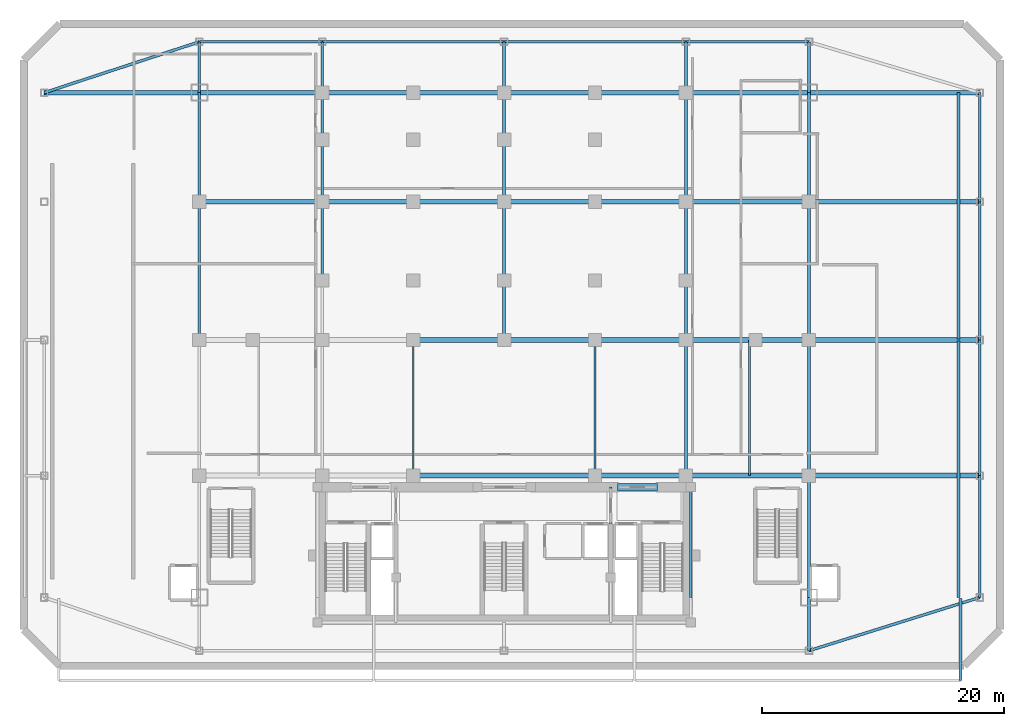
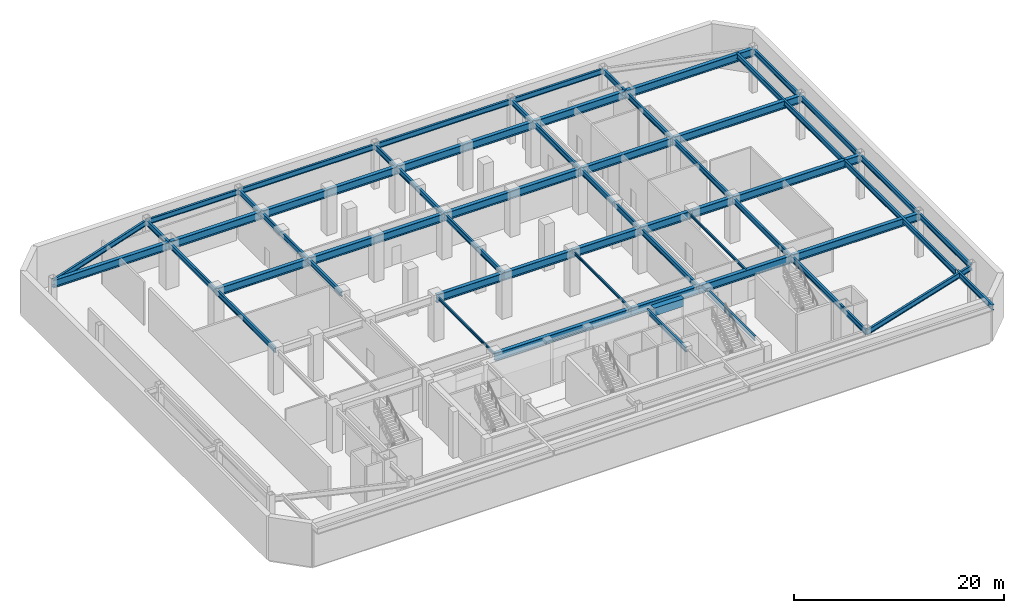
# One storey, part 2 of 9: 60 beams.
"""IFC4 building model written with IfcOpenShell, lengths in metres."""

from ifc_helpers import new_model, si_unit, direction, frame, origin, origin_2d, place, context, subcontext, project, spatial, rectangle, i_section, extrude, material, material_profile, profile_set, type_object, element, save


model = new_model("IFC4")

# Units and contexts
model_context = context("Model", 3, precision=1e-05, world=origin(), true_north=direction((0.0, 1.0)))
body_context = subcontext(model_context, "Body", "Model", "MODEL_VIEW")
ifc_project = project(units=[si_unit("LENGTHUNIT", "METRE"), si_unit("AREAUNIT", "SQUARE_METRE"), si_unit("VOLUMEUNIT", "CUBIC_METRE"), si_unit("PLANEANGLEUNIT", "RADIAN"), si_unit("MASSUNIT", "GRAM", prefix="KILO")], contexts=[model_context])

# Site, building, storey
site_placement = place(None, origin())
site = spatial("IfcSite", under=ifc_project, at=site_placement, CompositionType="ELEMENT")
building_placement = place(site_placement, origin())
building = spatial("IfcBuilding", under=site, at=building_placement, Name="Ventersveld Concourse Tower", CompositionType="ELEMENT")
storey_placement = place(building_placement, frame((0.0, 0.0, -5.39990234375)))
storey = spatial("IfcBuildingStorey", under=building, at=storey_placement, Name="B01", CompositionType="ELEMENT", Elevation=-5.39990234375)

# Beams
ifc_material_1 = material(Name="Concrete C60/75", Category="concrete")
ifc_material_profile_1 = material_profile(ifc_material_1, rectangle(XDim=0.60009765625, YDim=0.89990234375, at=origin_2d()), Name="RC 600x900")
ifc_profile_set_1 = profile_set([ifc_material_profile_1], Name="Concrete C60/75")
beam_type_1 = type_object("IfcBeamType", Name="CB-RC600x900L", PredefinedType="LINTEL", material=ifc_profile_set_1)
beam_1_placement = place(storey_placement, frame((38.10009765625, 11.449951171875, 4.599853515625), z_axis=(1.0, 0.0, 0.0), x_axis=(0.0, 1.0, 0.0)))
element("IfcBeam", 1, at=beam_1_placement, inside=storey, type_object=beam_type_1, Name="B01 Core Coupling Lintel Beam 3", PredefinedType="LINTEL", context=body_context, shape_type="SweptSolid", body=[
    extrude(rectangle(XDim=0.60009765625, YDim=0.89990234375, at=origin_2d()), origin(), (0.0, 0.0, 1.0), 3.2998046875),
])
ifc_material_2 = material(Name="Structural steel S355J2", Category="steel")
ifc_material_profile_2 = material_profile(ifc_material_2, i_section(OverallWidth=0.39990234375, OverallDepth=0.89990234375, WebThickness=0.02197265625, FlangeThickness=0.035888671875, at=origin_2d()), Name="PG 900x400x36")
ifc_profile_set_2 = profile_set([ifc_material_profile_2], Name="Structural steel S355J2")
beam_type_2 = type_object("IfcBeamType", Name="GRD-PG900", PredefinedType="USERDEFINED", material=ifc_profile_set_2)
beam_2_placement = place(storey_placement, frame((21.25, 12.39990234375, 4.599853515625), z_axis=(1.0, 0.0, 0.0), x_axis=(0.0, 1.0, 0.0)))
element("IfcBeam", 2, at=beam_2_placement, inside=storey, type_object=beam_type_2, Name="B01 Podium Primary Girder Y=12.4m", ObjectType="GIRDER", PredefinedType="USERDEFINED", context=body_context, shape_type="SweptSolid", body=[
    extrude(i_section(OverallWidth=0.39990234375, OverallDepth=0.89990234375, WebThickness=0.02197265625, FlangeThickness=0.035888671875, at=origin_2d()), origin(), (0.0, 0.0, 1.0), 15.0),
])
beam_3_placement = place(storey_placement, frame((36.25, 12.39990234375, 4.599853515625), z_axis=(1.0, 0.0, 0.0), x_axis=(0.0, 1.0, 0.0)))
element("IfcBeam", 3, at=beam_3_placement, inside=storey, type_object=beam_type_2, Name="B01 Podium Primary Girder Y=12.4m", ObjectType="GIRDER", PredefinedType="USERDEFINED", context=body_context, shape_type="SweptSolid", body=[
    extrude(i_section(OverallWidth=0.39990234375, OverallDepth=0.89990234375, WebThickness=0.02197265625, FlangeThickness=0.035888671875, at=origin_2d()), origin(), (0.0, 0.0, 1.0), 7.5),
])
beam_4_placement = place(storey_placement, frame((43.75, 12.39990234375, 4.599853515625), z_axis=(1.0, 0.0, 0.0), x_axis=(0.0, 1.0, 0.0)))
element("IfcBeam", 4, at=beam_4_placement, inside=storey, type_object=beam_type_2, Name="B01 Podium Primary Girder Y=12.4m", ObjectType="GIRDER", PredefinedType="USERDEFINED", context=body_context, shape_type="SweptSolid", body=[
    extrude(i_section(OverallWidth=0.39990234375, OverallDepth=0.89990234375, WebThickness=0.02197265625, FlangeThickness=0.035888671875, at=origin_2d()), origin(), (0.0, 0.0, 1.0), 10.14990234375),
])
beam_5_placement = place(storey_placement, frame((53.89990234375, 12.39990234375, 4.599853515625), z_axis=(1.0, 0.0, 0.0), x_axis=(0.0, 1.0, 0.0)))
element("IfcBeam", 5, at=beam_5_placement, inside=storey, type_object=beam_type_2, Name="B01 Podium Primary Girder Y=12.4m", ObjectType="GIRDER", PredefinedType="USERDEFINED", context=body_context, shape_type="SweptSolid", body=[
    extrude(i_section(OverallWidth=0.39990234375, OverallDepth=0.89990234375, WebThickness=0.02197265625, FlangeThickness=0.035888671875, at=origin_2d()), origin(), (0.0, 0.0, 1.0), 14.10009765625),
])
for number, where, z_axis, x_axis, name in (
    (6, (21.25, 23.60009765625, 4.599853515625), (1.0, 0.0, 0.0), (0.0, 1.0, 0.0), "B01 Podium Primary Girder Y=23.6m"),
    (7, (28.75, 23.60009765625, 4.599853515625), (1.0, 0.0, 0.0), (0.0, 1.0, 0.0), "B01 Podium Primary Girder Y=23.6m"),
    (8, (36.25, 23.60009765625, 4.599853515625), (1.0, 0.0, 0.0), (0.0, 1.0, 0.0), "B01 Podium Primary Girder Y=23.6m"),
):
    element("IfcBeam", number, at=place(storey_placement, frame(where, z_axis=z_axis, x_axis=x_axis)), inside=storey, type_object=beam_type_2, Name=name, ObjectType="GIRDER", PredefinedType="USERDEFINED", context=body_context, shape_type="SweptSolid", body=[
        extrude(i_section(OverallWidth=0.39990234375, OverallDepth=0.89990234375, WebThickness=0.02197265625, FlangeThickness=0.035888671875, at=origin_2d()), origin(), (0.0, 0.0, 1.0), 7.5),
    ])
beam_6_placement = place(storey_placement, frame((43.75, 23.60009765625, 4.599853515625), z_axis=(1.0, 0.0, 0.0), x_axis=(0.0, 1.0, 0.0)))
element("IfcBeam", 9, at=beam_6_placement, inside=storey, type_object=beam_type_2, Name="B01 Podium Primary Girder Y=23.6m", ObjectType="GIRDER", PredefinedType="USERDEFINED", context=body_context, shape_type="SweptSolid", body=[
    extrude(i_section(OverallWidth=0.39990234375, OverallDepth=0.89990234375, WebThickness=0.02197265625, FlangeThickness=0.035888671875, at=origin_2d()), origin(), (0.0, 0.0, 1.0), 5.75),
])
beam_7_placement = place(storey_placement, frame((49.5, 23.60009765625, 4.599853515625), z_axis=(1.0, 0.0, 0.0), x_axis=(0.0, 1.0, 0.0)))
element("IfcBeam", 10, at=beam_7_placement, inside=storey, type_object=beam_type_2, Name="B01 Podium Primary Girder Y=23.6m", ObjectType="GIRDER", PredefinedType="USERDEFINED", context=body_context, shape_type="SweptSolid", body=[
    extrude(i_section(OverallWidth=0.39990234375, OverallDepth=0.89990234375, WebThickness=0.02197265625, FlangeThickness=0.035888671875, at=origin_2d()), origin(), (0.0, 0.0, 1.0), 4.39990234375),
])
beam_8_placement = place(storey_placement, frame((53.89990234375, 23.60009765625, 4.599853515625), z_axis=(1.0, 0.0, 0.0), x_axis=(0.0, 1.0, 0.0)))
element("IfcBeam", 11, at=beam_8_placement, inside=storey, type_object=beam_type_2, Name="B01 Podium Primary Girder Y=23.6m", ObjectType="GIRDER", PredefinedType="USERDEFINED", context=body_context, shape_type="SweptSolid", body=[
    extrude(i_section(OverallWidth=0.39990234375, OverallDepth=0.89990234375, WebThickness=0.02197265625, FlangeThickness=0.035888671875, at=origin_2d()), origin(), (0.0, 0.0, 1.0), 14.10009765625),
])
beam_9_placement = place(storey_placement, frame((3.60009765625, 35.0, 4.599853515625), z_axis=(1.0, 0.0, 0.0), x_axis=(0.0, 1.0, 0.0)))
element("IfcBeam", 12, at=beam_9_placement, inside=storey, type_object=beam_type_2, Name="B01 Podium Primary Girder Y=35.0m", ObjectType="GIRDER", PredefinedType="USERDEFINED", context=body_context, shape_type="SweptSolid", body=[
    extrude(i_section(OverallWidth=0.39990234375, OverallDepth=0.89990234375, WebThickness=0.02197265625, FlangeThickness=0.035888671875, at=origin_2d()), origin(), (0.0, 0.0, 1.0), 10.14990234375),
])
for number, where, z_axis, x_axis, name in (
    (13, (13.75, 35.0, 4.599853515625), (1.0, 0.0, 0.0), (0.0, 1.0, 0.0), "B01 Podium Primary Girder Y=35.0m"),
    (14, (28.75, 35.0, 4.599853515625), (1.0, 0.0, 0.0), (0.0, 1.0, 0.0), "B01 Podium Primary Girder Y=35.0m"),
):
    element("IfcBeam", number, at=place(storey_placement, frame(where, z_axis=z_axis, x_axis=x_axis)), inside=storey, type_object=beam_type_2, Name=name, ObjectType="GIRDER", PredefinedType="USERDEFINED", context=body_context, shape_type="SweptSolid", body=[
        extrude(i_section(OverallWidth=0.39990234375, OverallDepth=0.89990234375, WebThickness=0.02197265625, FlangeThickness=0.035888671875, at=origin_2d()), origin(), (0.0, 0.0, 1.0), 15.0),
    ])
beam_10_placement = place(storey_placement, frame((43.75, 35.0, 4.599853515625), z_axis=(1.0, 0.0, 0.0), x_axis=(0.0, 1.0, 0.0)))
element("IfcBeam", 15, at=beam_10_placement, inside=storey, type_object=beam_type_2, Name="B01 Podium Primary Girder Y=35.0m", ObjectType="GIRDER", PredefinedType="USERDEFINED", context=body_context, shape_type="SweptSolid", body=[
    extrude(i_section(OverallWidth=0.39990234375, OverallDepth=0.89990234375, WebThickness=0.02197265625, FlangeThickness=0.035888671875, at=origin_2d()), origin(), (0.0, 0.0, 1.0), 10.14990234375),
])
beam_11_placement = place(storey_placement, frame((53.89990234375, 35.0, 4.599853515625), z_axis=(1.0, 0.0, 0.0), x_axis=(0.0, 1.0, 0.0)))
element("IfcBeam", 16, at=beam_11_placement, inside=storey, type_object=beam_type_2, Name="B01 Podium Primary Girder Y=35.0m", ObjectType="GIRDER", PredefinedType="USERDEFINED", context=body_context, shape_type="SweptSolid", body=[
    extrude(i_section(OverallWidth=0.39990234375, OverallDepth=0.89990234375, WebThickness=0.02197265625, FlangeThickness=0.035888671875, at=origin_2d()), origin(), (0.0, 0.0, 1.0), 14.10009765625),
])
beam_12_placement = place(storey_placement, frame((-9.199951171875, 44.0, 4.599853515625), z_axis=(1.0, 0.0, 0.0), x_axis=(0.0, 1.0, 0.0)))
element("IfcBeam", 17, at=beam_12_placement, inside=storey, type_object=beam_type_2, Name="B01 Podium Primary Girder Y=44.0m", ObjectType="GIRDER", PredefinedType="USERDEFINED", context=body_context, shape_type="SweptSolid", body=[
    extrude(i_section(OverallWidth=0.39990234375, OverallDepth=0.89990234375, WebThickness=0.02197265625, FlangeThickness=0.035888671875, at=origin_2d()), origin(), (0.0, 0.0, 1.0), 12.800048828125),
])
beam_13_placement = place(storey_placement, frame((3.60009765625, 44.0, 4.599853515625), z_axis=(1.0, 0.0, 0.0), x_axis=(0.0, 1.0, 0.0)))
element("IfcBeam", 18, at=beam_13_placement, inside=storey, type_object=beam_type_2, Name="B01 Podium Primary Girder Y=44.0m", ObjectType="GIRDER", PredefinedType="USERDEFINED", context=body_context, shape_type="SweptSolid", body=[
    extrude(i_section(OverallWidth=0.39990234375, OverallDepth=0.89990234375, WebThickness=0.02197265625, FlangeThickness=0.035888671875, at=origin_2d()), origin(), (0.0, 0.0, 1.0), 10.14990234375),
])
for number, where, z_axis, x_axis, name in (
    (19, (13.75, 44.0, 4.599853515625), (1.0, 0.0, 0.0), (0.0, 1.0, 0.0), "B01 Podium Primary Girder Y=44.0m"),
    (20, (28.75, 44.0, 4.599853515625), (1.0, 0.0, 0.0), (0.0, 1.0, 0.0), "B01 Podium Primary Girder Y=44.0m"),
):
    element("IfcBeam", number, at=place(storey_placement, frame(where, z_axis=z_axis, x_axis=x_axis)), inside=storey, type_object=beam_type_2, Name=name, ObjectType="GIRDER", PredefinedType="USERDEFINED", context=body_context, shape_type="SweptSolid", body=[
        extrude(i_section(OverallWidth=0.39990234375, OverallDepth=0.89990234375, WebThickness=0.02197265625, FlangeThickness=0.035888671875, at=origin_2d()), origin(), (0.0, 0.0, 1.0), 15.0),
    ])
beam_14_placement = place(storey_placement, frame((43.75, 44.0, 4.599853515625), z_axis=(1.0, 0.0, 0.0), x_axis=(0.0, 1.0, 0.0)))
element("IfcBeam", 21, at=beam_14_placement, inside=storey, type_object=beam_type_2, Name="B01 Podium Primary Girder Y=44.0m", ObjectType="GIRDER", PredefinedType="USERDEFINED", context=body_context, shape_type="SweptSolid", body=[
    extrude(i_section(OverallWidth=0.39990234375, OverallDepth=0.89990234375, WebThickness=0.02197265625, FlangeThickness=0.035888671875, at=origin_2d()), origin(), (0.0, 0.0, 1.0), 10.14990234375),
])
beam_15_placement = place(storey_placement, frame((53.89990234375, 44.0, 4.599853515625), z_axis=(1.0, 0.0, 0.0), x_axis=(0.0, 1.0, 0.0)))
element("IfcBeam", 22, at=beam_15_placement, inside=storey, type_object=beam_type_2, Name="B01 Podium Primary Girder Y=44.0m", ObjectType="GIRDER", PredefinedType="USERDEFINED", context=body_context, shape_type="SweptSolid", body=[
    extrude(i_section(OverallWidth=0.39990234375, OverallDepth=0.89990234375, WebThickness=0.02197265625, FlangeThickness=0.035888671875, at=origin_2d()), origin(), (0.0, 0.0, 1.0), 14.10009765625),
])
ifc_material_profile_3 = material_profile(ifc_material_2, i_section(OverallWidth=0.2119140625, OverallDepth=0.54443359375, WebThickness=0.0126953125, FlangeThickness=0.021240234375, FilletRadius=0.0126953125, at=origin_2d()), Name="UB 533x210x122")
ifc_profile_set_3 = profile_set([ifc_material_profile_3], Name="Structural steel S355J2")
beam_type_3 = type_object("IfcBeamType", Name="GRD-UB533H", PredefinedType="T_BEAM", material=ifc_profile_set_3)
beam_16_placement = place(storey_placement, frame((44.14990234375, 2.35009765625, 4.777587890625), z_axis=(0.0, 1.0, 0.0), x_axis=(-1.0, 0.0, 0.0)))
element("IfcBeam", 23, at=beam_16_placement, inside=storey, type_object=beam_type_3, Name="B01 Core East Tie Beam N", PredefinedType="T_BEAM", context=body_context, shape_type="SweptSolid", body=[
    extrude(i_section(OverallWidth=0.2119140625, OverallDepth=0.54443359375, WebThickness=0.0126953125, FlangeThickness=0.021240234375, FilletRadius=0.0126953125, at=origin_2d()), origin(), (0.0, 0.0, 1.0), 9.099853515625),
])
beam_17_placement = place(storey_placement, frame((37.550048828125, 4.0, 4.777587890625), z_axis=(0.0, 1.0, 0.0), x_axis=(-1.0, 0.0, 0.0)))
element("IfcBeam", 24, at=beam_17_placement, inside=storey, type_object=beam_type_3, Name="B01 Core Spine N-S Tie Beam E2", PredefinedType="T_BEAM", context=body_context, shape_type="SweptSolid", body=[
    extrude(i_section(OverallWidth=0.2119140625, OverallDepth=0.54443359375, WebThickness=0.0126953125, FlangeThickness=0.021240234375, FilletRadius=0.0126953125, at=origin_2d()), origin(), (0.0, 0.0, 1.0), 7.449951171875),
])
ifc_material_profile_4 = material_profile(ifc_material_2, i_section(OverallWidth=0.230224609375, OverallDepth=0.6171875, WebThickness=0.01318359375, FlangeThickness=0.022216796875, FilletRadius=0.0126953125, at=origin_2d()), Name="UB 610x229x140")
ifc_profile_set_4 = profile_set([ifc_material_profile_4], Name="Structural steel S355J2")
beam_type_4 = type_object("IfcBeamType", Name="GRD-UB610", PredefinedType="USERDEFINED", material=ifc_profile_set_4)
beam_18_placement = place(storey_placement, frame((3.60009765625, 48.199951171875, 4.7412109375), z_axis=(1.0, 0.0, 0.0), x_axis=(0.0, 1.0, 0.0)))
element("IfcBeam", 25, at=beam_18_placement, inside=storey, type_object=beam_type_4, Name="B01 Plaza Support Girder N", ObjectType="GIRDER", PredefinedType="USERDEFINED", context=body_context, shape_type="SweptSolid", body=[
    extrude(i_section(OverallWidth=0.230224609375, OverallDepth=0.6171875, WebThickness=0.01318359375, FlangeThickness=0.022216796875, FilletRadius=0.0126953125, at=origin_2d()), origin(), (0.0, 0.0, 1.0), 10.14990234375),
])
for number, where, z_axis, x_axis, name in (
    (26, (13.75, 48.199951171875, 4.7412109375), (1.0, 0.0, 0.0), (0.0, 1.0, 0.0), "B01 Plaza Support Girder N"),
    (27, (28.75, 48.199951171875, 4.7412109375), (1.0, 0.0, 0.0), (0.0, 1.0, 0.0), "B01 Plaza Support Girder N"),
):
    element("IfcBeam", number, at=place(storey_placement, frame(where, z_axis=z_axis, x_axis=x_axis)), inside=storey, type_object=beam_type_4, Name=name, ObjectType="GIRDER", PredefinedType="USERDEFINED", context=body_context, shape_type="SweptSolid", body=[
        extrude(i_section(OverallWidth=0.230224609375, OverallDepth=0.6171875, WebThickness=0.01318359375, FlangeThickness=0.022216796875, FilletRadius=0.0126953125, at=origin_2d()), origin(), (0.0, 0.0, 1.0), 15.0),
    ])
beam_19_placement = place(storey_placement, frame((43.75, 48.199951171875, 4.7412109375), z_axis=(1.0, 0.0, 0.0), x_axis=(0.0, 1.0, 0.0)))
element("IfcBeam", 28, at=beam_19_placement, inside=storey, type_object=beam_type_4, Name="B01 Plaza Support Girder N", ObjectType="GIRDER", PredefinedType="USERDEFINED", context=body_context, shape_type="SweptSolid", body=[
    extrude(i_section(OverallWidth=0.230224609375, OverallDepth=0.6171875, WebThickness=0.01318359375, FlangeThickness=0.022216796875, FilletRadius=0.0126953125, at=origin_2d()), origin(), (0.0, 0.0, 1.0), 10.14990234375),
])
beam_20_placement = place(storey_placement, frame((-9.199951171875, 44.0, 4.7412109375), z_axis=(0.950158890073, 0.311766071944, 0.0), x_axis=(-0.311766071944, 0.950158890073, 0.0)))
element("IfcBeam", 29, at=beam_20_placement, inside=storey, type_object=beam_type_4, Name="B01 Plaza Support Girder NW", ObjectType="GIRDER", PredefinedType="USERDEFINED", context=body_context, shape_type="SweptSolid", body=[
    extrude(i_section(OverallWidth=0.230224609375, OverallDepth=0.6171875, WebThickness=0.01318359375, FlangeThickness=0.022216796875, FilletRadius=0.0126953125, at=origin_2d()), origin(), (0.0, 0.0, 1.0), 13.471435546875),
])
beam_21_placement = place(storey_placement, frame((66.39990234375, -4.5, 4.7412109375), z_axis=(0.0, 1.0, 0.0), x_axis=(-1.0, 0.0, 0.0)))
element("IfcBeam", 30, at=beam_21_placement, inside=storey, type_object=beam_type_4, Name="B01 South Forecourt East Rib", ObjectType="GIRDER", PredefinedType="USERDEFINED", context=body_context, shape_type="SweptSolid", body=[
    extrude(i_section(OverallWidth=0.230224609375, OverallDepth=0.6171875, WebThickness=0.01318359375, FlangeThickness=0.022216796875, FilletRadius=0.0126953125, at=origin_2d()), origin(), (0.0, 0.0, 1.0), 6.75),
])
beam_22_placement = place(storey_placement, frame((53.89990234375, -2.050048828125, 4.7412109375), z_axis=(0.954598133205, 0.297896633216, 0.0), x_axis=(-0.297896633216, 0.954598133205, 0.0)))
element("IfcBeam", 31, at=beam_22_placement, inside=storey, type_object=beam_type_4, Name="B01 Plaza Support Girder SE", ObjectType="GIRDER", PredefinedType="USERDEFINED", context=body_context, shape_type="SweptSolid", body=[
    extrude(i_section(OverallWidth=0.230224609375, OverallDepth=0.6171875, WebThickness=0.01318359375, FlangeThickness=0.022216796875, FilletRadius=0.0126953125, at=origin_2d()), origin(), (0.0, 0.0, 1.0), 14.770751953125),
])
beam_23_placement = place(storey_placement, frame((66.25, 2.35009765625, 4.7412109375), z_axis=(0.0, 1.0, 0.0), x_axis=(-1.0, 0.0, 0.0)))
element("IfcBeam", 32, at=beam_23_placement, inside=storey, type_object=beam_type_4, Name="B01 East Plaza Inner Girder 1", ObjectType="GIRDER", PredefinedType="USERDEFINED", context=body_context, shape_type="SweptSolid", body=[
    extrude(i_section(OverallWidth=0.230224609375, OverallDepth=0.6171875, WebThickness=0.01318359375, FlangeThickness=0.022216796875, FilletRadius=0.0126953125, at=origin_2d()), origin(), (0.0, 0.0, 1.0), 21.15478515625),
])
beam_24_placement = place(storey_placement, frame((66.25, 23.695068359375, 4.7412109375), z_axis=(0.0, 1.0, 0.0), x_axis=(-1.0, 0.0, 0.0)))
element("IfcBeam", 33, at=beam_24_placement, inside=storey, type_object=beam_type_4, Name="B01 East Plaza Inner Girder 2", ObjectType="GIRDER", PredefinedType="USERDEFINED", context=body_context, shape_type="SweptSolid", body=[
    extrude(i_section(OverallWidth=0.230224609375, OverallDepth=0.6171875, WebThickness=0.01318359375, FlangeThickness=0.022216796875, FilletRadius=0.0126953125, at=origin_2d()), origin(), (0.0, 0.0, 1.0), 20.304931640625),
])
beam_25_placement = place(storey_placement, frame((3.60009765625, 23.60009765625, 4.7412109375), z_axis=(0.0, 1.0, 0.0), x_axis=(-1.0, 0.0, 0.0)))
element("IfcBeam", 34, at=beam_25_placement, inside=storey, type_object=beam_type_4, Name="B01 Podium N-S Girder X=3.60m", ObjectType="GIRDER", PredefinedType="USERDEFINED", context=body_context, shape_type="SweptSolid", body=[
    extrude(i_section(OverallWidth=0.230224609375, OverallDepth=0.6171875, WebThickness=0.01318359375, FlangeThickness=0.022216796875, FilletRadius=0.0126953125, at=origin_2d()), origin(), (0.0, 0.0, 1.0), 11.39990234375),
])
beam_26_placement = place(storey_placement, frame((3.60009765625, 35.0, 4.7412109375), z_axis=(0.0, 1.0, 0.0), x_axis=(-1.0, 0.0, 0.0)))
element("IfcBeam", 35, at=beam_26_placement, inside=storey, type_object=beam_type_4, Name="B01 Podium N-S Girder X=3.60m", ObjectType="GIRDER", PredefinedType="USERDEFINED", context=body_context, shape_type="SweptSolid", body=[
    extrude(i_section(OverallWidth=0.230224609375, OverallDepth=0.6171875, WebThickness=0.01318359375, FlangeThickness=0.022216796875, FilletRadius=0.0126953125, at=origin_2d()), origin(), (0.0, 0.0, 1.0), 9.0),
])
beam_27_placement = place(storey_placement, frame((3.60009765625, 44.0, 4.7412109375), z_axis=(0.0, 1.0, 0.0), x_axis=(-1.0, 0.0, 0.0)))
element("IfcBeam", 36, at=beam_27_placement, inside=storey, type_object=beam_type_4, Name="B01 Podium N-S Girder X=3.60m", ObjectType="GIRDER", PredefinedType="USERDEFINED", context=body_context, shape_type="SweptSolid", body=[
    extrude(i_section(OverallWidth=0.230224609375, OverallDepth=0.6171875, WebThickness=0.01318359375, FlangeThickness=0.022216796875, FilletRadius=0.0126953125, at=origin_2d()), origin(), (0.0, 0.0, 1.0), 4.199951171875),
])
beam_28_placement = place(storey_placement, frame((13.75, 28.5, 4.7412109375), z_axis=(0.0, 1.0, 0.0), x_axis=(-1.0, 0.0, 0.0)))
element("IfcBeam", 37, at=beam_28_placement, inside=storey, type_object=beam_type_4, Name="B01 Podium N-S Girder X=13.75m", ObjectType="GIRDER", PredefinedType="USERDEFINED", context=body_context, shape_type="SweptSolid", body=[
    extrude(i_section(OverallWidth=0.230224609375, OverallDepth=0.6171875, WebThickness=0.01318359375, FlangeThickness=0.022216796875, FilletRadius=0.0126953125, at=origin_2d()), origin(), (0.0, 0.0, 1.0), 6.5),
])
beam_29_placement = place(storey_placement, frame((13.75, 35.0, 4.7412109375), z_axis=(0.0, 1.0, 0.0), x_axis=(-1.0, 0.0, 0.0)))
element("IfcBeam", 38, at=beam_29_placement, inside=storey, type_object=beam_type_4, Name="B01 Podium N-S Girder X=13.75m", ObjectType="GIRDER", PredefinedType="USERDEFINED", context=body_context, shape_type="SweptSolid", body=[
    extrude(i_section(OverallWidth=0.230224609375, OverallDepth=0.6171875, WebThickness=0.01318359375, FlangeThickness=0.022216796875, FilletRadius=0.0126953125, at=origin_2d()), origin(), (0.0, 0.0, 1.0), 9.0),
])
beam_30_placement = place(storey_placement, frame((13.75, 44.0, 4.7412109375), z_axis=(0.0, 1.0, 0.0), x_axis=(-1.0, 0.0, 0.0)))
element("IfcBeam", 39, at=beam_30_placement, inside=storey, type_object=beam_type_4, Name="B01 Podium N-S Girder X=13.75m", ObjectType="GIRDER", PredefinedType="USERDEFINED", context=body_context, shape_type="SweptSolid", body=[
    extrude(i_section(OverallWidth=0.230224609375, OverallDepth=0.6171875, WebThickness=0.01318359375, FlangeThickness=0.022216796875, FilletRadius=0.0126953125, at=origin_2d()), origin(), (0.0, 0.0, 1.0), 4.199951171875),
])
beam_31_placement = place(storey_placement, frame((28.75, 23.60009765625, 4.7412109375), z_axis=(0.0, 1.0, 0.0), x_axis=(-1.0, 0.0, 0.0)))
element("IfcBeam", 40, at=beam_31_placement, inside=storey, type_object=beam_type_4, Name="B01 Podium N-S Girder X=28.75m", ObjectType="GIRDER", PredefinedType="USERDEFINED", context=body_context, shape_type="SweptSolid", body=[
    extrude(i_section(OverallWidth=0.230224609375, OverallDepth=0.6171875, WebThickness=0.01318359375, FlangeThickness=0.022216796875, FilletRadius=0.0126953125, at=origin_2d()), origin(), (0.0, 0.0, 1.0), 11.39990234375),
])
beam_32_placement = place(storey_placement, frame((28.75, 35.0, 4.7412109375), z_axis=(0.0, 1.0, 0.0), x_axis=(-1.0, 0.0, 0.0)))
element("IfcBeam", 41, at=beam_32_placement, inside=storey, type_object=beam_type_4, Name="B01 Podium N-S Girder X=28.75m", ObjectType="GIRDER", PredefinedType="USERDEFINED", context=body_context, shape_type="SweptSolid", body=[
    extrude(i_section(OverallWidth=0.230224609375, OverallDepth=0.6171875, WebThickness=0.01318359375, FlangeThickness=0.022216796875, FilletRadius=0.0126953125, at=origin_2d()), origin(), (0.0, 0.0, 1.0), 9.0),
])
beam_33_placement = place(storey_placement, frame((28.75, 44.0, 4.7412109375), z_axis=(0.0, 1.0, 0.0), x_axis=(-1.0, 0.0, 0.0)))
element("IfcBeam", 42, at=beam_33_placement, inside=storey, type_object=beam_type_4, Name="B01 Podium N-S Girder X=28.75m", ObjectType="GIRDER", PredefinedType="USERDEFINED", context=body_context, shape_type="SweptSolid", body=[
    extrude(i_section(OverallWidth=0.230224609375, OverallDepth=0.6171875, WebThickness=0.01318359375, FlangeThickness=0.022216796875, FilletRadius=0.0126953125, at=origin_2d()), origin(), (0.0, 0.0, 1.0), 4.199951171875),
])
beam_34_placement = place(storey_placement, frame((43.75, 12.39990234375, 4.7412109375), z_axis=(0.0, 1.0, 0.0), x_axis=(-1.0, 0.0, 0.0)))
element("IfcBeam", 43, at=beam_34_placement, inside=storey, type_object=beam_type_4, Name="B01 Podium N-S Girder X=43.75m", ObjectType="GIRDER", PredefinedType="USERDEFINED", context=body_context, shape_type="SweptSolid", body=[
    extrude(i_section(OverallWidth=0.230224609375, OverallDepth=0.6171875, WebThickness=0.01318359375, FlangeThickness=0.022216796875, FilletRadius=0.0126953125, at=origin_2d()), origin(), (0.0, 0.0, 1.0), 11.2001953125),
])
beam_35_placement = place(storey_placement, frame((43.75, 23.60009765625, 4.7412109375), z_axis=(0.0, 1.0, 0.0), x_axis=(-1.0, 0.0, 0.0)))
element("IfcBeam", 44, at=beam_35_placement, inside=storey, type_object=beam_type_4, Name="B01 Podium N-S Girder X=43.75m", ObjectType="GIRDER", PredefinedType="USERDEFINED", context=body_context, shape_type="SweptSolid", body=[
    extrude(i_section(OverallWidth=0.230224609375, OverallDepth=0.6171875, WebThickness=0.01318359375, FlangeThickness=0.022216796875, FilletRadius=0.0126953125, at=origin_2d()), origin(), (0.0, 0.0, 1.0), 4.89990234375),
])
beam_36_placement = place(storey_placement, frame((43.75, 28.5, 4.7412109375), z_axis=(0.0, 1.0, 0.0), x_axis=(-1.0, 0.0, 0.0)))
element("IfcBeam", 45, at=beam_36_placement, inside=storey, type_object=beam_type_4, Name="B01 Podium N-S Girder X=43.75m", ObjectType="GIRDER", PredefinedType="USERDEFINED", context=body_context, shape_type="SweptSolid", body=[
    extrude(i_section(OverallWidth=0.230224609375, OverallDepth=0.6171875, WebThickness=0.01318359375, FlangeThickness=0.022216796875, FilletRadius=0.0126953125, at=origin_2d()), origin(), (0.0, 0.0, 1.0), 6.5),
])
beam_37_placement = place(storey_placement, frame((43.75, 35.0, 4.7412109375), z_axis=(0.0, 1.0, 0.0), x_axis=(-1.0, 0.0, 0.0)))
element("IfcBeam", 46, at=beam_37_placement, inside=storey, type_object=beam_type_4, Name="B01 Podium N-S Girder X=43.75m", ObjectType="GIRDER", PredefinedType="USERDEFINED", context=body_context, shape_type="SweptSolid", body=[
    extrude(i_section(OverallWidth=0.230224609375, OverallDepth=0.6171875, WebThickness=0.01318359375, FlangeThickness=0.022216796875, FilletRadius=0.0126953125, at=origin_2d()), origin(), (0.0, 0.0, 1.0), 9.0),
])
beam_38_placement = place(storey_placement, frame((43.75, 44.0, 4.7412109375), z_axis=(0.0, 1.0, 0.0), x_axis=(-1.0, 0.0, 0.0)))
element("IfcBeam", 47, at=beam_38_placement, inside=storey, type_object=beam_type_4, Name="B01 Podium N-S Girder X=43.75m", ObjectType="GIRDER", PredefinedType="USERDEFINED", context=body_context, shape_type="SweptSolid", body=[
    extrude(i_section(OverallWidth=0.230224609375, OverallDepth=0.6171875, WebThickness=0.01318359375, FlangeThickness=0.022216796875, FilletRadius=0.0126953125, at=origin_2d()), origin(), (0.0, 0.0, 1.0), 4.199951171875),
])
beam_39_placement = place(storey_placement, frame((53.89990234375, -2.050048828125, 4.7412109375), z_axis=(0.0, 1.0, 0.0), x_axis=(-1.0, 0.0, 0.0)))
element("IfcBeam", 48, at=beam_39_placement, inside=storey, type_object=beam_type_4, Name="B01 Podium N-S Girder X=53.90m", ObjectType="GIRDER", PredefinedType="USERDEFINED", context=body_context, shape_type="SweptSolid", body=[
    extrude(i_section(OverallWidth=0.230224609375, OverallDepth=0.6171875, WebThickness=0.01318359375, FlangeThickness=0.022216796875, FilletRadius=0.0126953125, at=origin_2d()), origin(), (0.0, 0.0, 1.0), 4.400146484375),
])
beam_40_placement = place(storey_placement, frame((53.89990234375, 2.35009765625, 4.7412109375), z_axis=(0.0, 1.0, 0.0), x_axis=(-1.0, 0.0, 0.0)))
element("IfcBeam", 49, at=beam_40_placement, inside=storey, type_object=beam_type_4, Name="B01 Podium N-S Girder X=53.90m", ObjectType="GIRDER", PredefinedType="USERDEFINED", context=body_context, shape_type="SweptSolid", body=[
    extrude(i_section(OverallWidth=0.230224609375, OverallDepth=0.6171875, WebThickness=0.01318359375, FlangeThickness=0.022216796875, FilletRadius=0.0126953125, at=origin_2d()), origin(), (0.0, 0.0, 1.0), 10.0498046875),
])
beam_41_placement = place(storey_placement, frame((53.89990234375, 12.39990234375, 4.7412109375), z_axis=(0.0, 1.0, 0.0), x_axis=(-1.0, 0.0, 0.0)))
element("IfcBeam", 50, at=beam_41_placement, inside=storey, type_object=beam_type_4, Name="B01 Podium N-S Girder X=53.90m", ObjectType="GIRDER", PredefinedType="USERDEFINED", context=body_context, shape_type="SweptSolid", body=[
    extrude(i_section(OverallWidth=0.230224609375, OverallDepth=0.6171875, WebThickness=0.01318359375, FlangeThickness=0.022216796875, FilletRadius=0.0126953125, at=origin_2d()), origin(), (0.0, 0.0, 1.0), 11.2001953125),
])
beam_42_placement = place(storey_placement, frame((53.89990234375, 23.60009765625, 4.7412109375), z_axis=(0.0, 1.0, 0.0), x_axis=(-1.0, 0.0, 0.0)))
element("IfcBeam", 51, at=beam_42_placement, inside=storey, type_object=beam_type_4, Name="B01 Podium N-S Girder X=53.90m", ObjectType="GIRDER", PredefinedType="USERDEFINED", context=body_context, shape_type="SweptSolid", body=[
    extrude(i_section(OverallWidth=0.230224609375, OverallDepth=0.6171875, WebThickness=0.01318359375, FlangeThickness=0.022216796875, FilletRadius=0.0126953125, at=origin_2d()), origin(), (0.0, 0.0, 1.0), 11.39990234375),
])
beam_43_placement = place(storey_placement, frame((53.89990234375, 35.0, 4.7412109375), z_axis=(0.0, 1.0, 0.0), x_axis=(-1.0, 0.0, 0.0)))
element("IfcBeam", 52, at=beam_43_placement, inside=storey, type_object=beam_type_4, Name="B01 Podium N-S Girder X=53.90m", ObjectType="GIRDER", PredefinedType="USERDEFINED", context=body_context, shape_type="SweptSolid", body=[
    extrude(i_section(OverallWidth=0.230224609375, OverallDepth=0.6171875, WebThickness=0.01318359375, FlangeThickness=0.022216796875, FilletRadius=0.0126953125, at=origin_2d()), origin(), (0.0, 0.0, 1.0), 9.0),
])
beam_44_placement = place(storey_placement, frame((53.89990234375, 44.0, 4.7412109375), z_axis=(0.0, 1.0, 0.0), x_axis=(-1.0, 0.0, 0.0)))
element("IfcBeam", 53, at=beam_44_placement, inside=storey, type_object=beam_type_4, Name="B01 Podium N-S Girder X=53.90m", ObjectType="GIRDER", PredefinedType="USERDEFINED", context=body_context, shape_type="SweptSolid", body=[
    extrude(i_section(OverallWidth=0.230224609375, OverallDepth=0.6171875, WebThickness=0.01318359375, FlangeThickness=0.022216796875, FilletRadius=0.0126953125, at=origin_2d()), origin(), (0.0, 0.0, 1.0), 4.199951171875),
])
beam_45_placement = place(storey_placement, frame((68.0, 2.35009765625, 4.7412109375), z_axis=(0.0, 1.0, 0.0), x_axis=(-1.0, 0.0, 0.0)))
element("IfcBeam", 54, at=beam_45_placement, inside=storey, type_object=beam_type_4, Name="B01 Podium N-S Girder X=68.00m", ObjectType="GIRDER", PredefinedType="USERDEFINED", context=body_context, shape_type="SweptSolid", body=[
    extrude(i_section(OverallWidth=0.230224609375, OverallDepth=0.6171875, WebThickness=0.01318359375, FlangeThickness=0.022216796875, FilletRadius=0.0126953125, at=origin_2d()), origin(), (0.0, 0.0, 1.0), 10.0498046875),
])
beam_46_placement = place(storey_placement, frame((68.0, 12.39990234375, 4.7412109375), z_axis=(0.0, 1.0, 0.0), x_axis=(-1.0, 0.0, 0.0)))
element("IfcBeam", 55, at=beam_46_placement, inside=storey, type_object=beam_type_4, Name="B01 Podium N-S Girder X=68.00m", ObjectType="GIRDER", PredefinedType="USERDEFINED", context=body_context, shape_type="SweptSolid", body=[
    extrude(i_section(OverallWidth=0.230224609375, OverallDepth=0.6171875, WebThickness=0.01318359375, FlangeThickness=0.022216796875, FilletRadius=0.0126953125, at=origin_2d()), origin(), (0.0, 0.0, 1.0), 11.2001953125),
])
beam_47_placement = place(storey_placement, frame((68.0, 23.60009765625, 4.7412109375), z_axis=(0.0, 1.0, 0.0), x_axis=(-1.0, 0.0, 0.0)))
element("IfcBeam", 56, at=beam_47_placement, inside=storey, type_object=beam_type_4, Name="B01 Podium N-S Girder X=68.00m", ObjectType="GIRDER", PredefinedType="USERDEFINED", context=body_context, shape_type="SweptSolid", body=[
    extrude(i_section(OverallWidth=0.230224609375, OverallDepth=0.6171875, WebThickness=0.01318359375, FlangeThickness=0.022216796875, FilletRadius=0.0126953125, at=origin_2d()), origin(), (0.0, 0.0, 1.0), 11.39990234375),
])
beam_48_placement = place(storey_placement, frame((68.0, 35.0, 4.7412109375), z_axis=(0.0, 1.0, 0.0), x_axis=(-1.0, 0.0, 0.0)))
element("IfcBeam", 57, at=beam_48_placement, inside=storey, type_object=beam_type_4, Name="B01 Podium N-S Girder X=68.00m", ObjectType="GIRDER", PredefinedType="USERDEFINED", context=body_context, shape_type="SweptSolid", body=[
    extrude(i_section(OverallWidth=0.230224609375, OverallDepth=0.6171875, WebThickness=0.01318359375, FlangeThickness=0.022216796875, FilletRadius=0.0126953125, at=origin_2d()), origin(), (0.0, 0.0, 1.0), 9.0),
])
ifc_material_profile_5 = material_profile(ifc_material_2, i_section(OverallWidth=0.14990234375, OverallDepth=0.300048828125, WebThickness=0.007080078125, FlangeThickness=0.0107421875, FilletRadius=0.014892578125, at=origin_2d()), Name="IPE 300")
ifc_profile_set_5 = profile_set([ifc_material_profile_5], Name="Structural steel S355J2")
beam_type_5 = type_object("IfcBeamType", Name="JST-IPE300", PredefinedType="JOIST", material=ifc_profile_set_5)
for number, where, z_axis, x_axis, name in (
    (58, (21.25, 12.39990234375, 4.89990234375), (0.0, 1.0, 0.0), (-1.0, 0.0, 0.0), "B01 Podium Floor Joist X=21.25m"),
    (59, (36.25, 12.39990234375, 4.89990234375), (0.0, 1.0, 0.0), (-1.0, 0.0, 0.0), "B01 Podium Floor Joist X=36.25m"),
    (60, (49.0, 12.39990234375, 4.89990234375), (0.0, 1.0, 0.0), (-1.0, 0.0, 0.0), "B01 Podium Floor Joist X=49.00m"),
):
    element("IfcBeam", number, at=place(storey_placement, frame(where, z_axis=z_axis, x_axis=x_axis)), inside=storey, type_object=beam_type_5, Name=name, PredefinedType="JOIST", context=body_context, shape_type="SweptSolid", body=[
        extrude(i_section(OverallWidth=0.14990234375, OverallDepth=0.300048828125, WebThickness=0.007080078125, FlangeThickness=0.0107421875, FilletRadius=0.014892578125, at=origin_2d()), origin(), (0.0, 0.0, 1.0), 11.2001953125),
    ])

save(model, "model.ifc")
